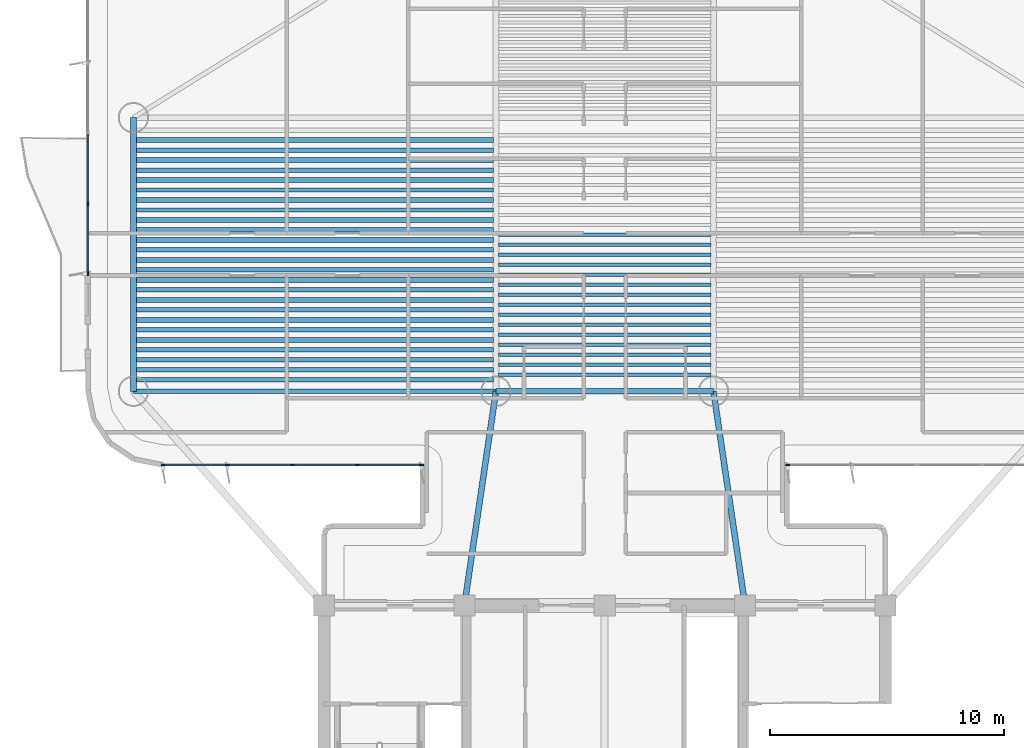
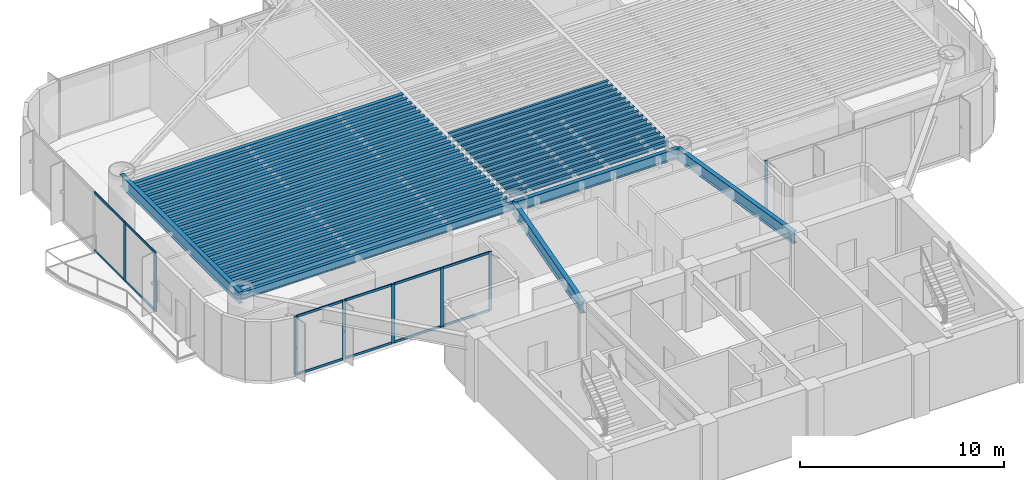
# One storey, part 2 of 16: 45 beams, 20 members, 3 elements without a shape of their own.
"""IFC4 building model written with IfcOpenShell, lengths in metres."""

from ifc_helpers import new_model, si_unit, direction, frame, origin, origin_2d, place, context, subcontext, project, spatial, rectangle, i_section, extrude, source, transform, mapped, material, layer, layer_set, material_profile, profile_set, type_object, element, aggregate, save


model = new_model("IFC4")

# Units and contexts
model_context = context("Model", 3, precision=1e-05, world=origin(), true_north=direction((0.0, 1.0)))
body_context = subcontext(model_context, "Body", "Model", "MODEL_VIEW")
ifc_project = project(units=[si_unit("LENGTHUNIT", "METRE"), si_unit("AREAUNIT", "SQUARE_METRE"), si_unit("VOLUMEUNIT", "CUBIC_METRE"), si_unit("PLANEANGLEUNIT", "RADIAN"), si_unit("MASSUNIT", "GRAM", prefix="KILO")], contexts=[model_context])

# Site, building, storey
site_placement = place(None, origin())
site = spatial("IfcSite", under=ifc_project, at=site_placement, CompositionType="ELEMENT")
building_placement = place(site_placement, origin())
building = spatial("IfcBuilding", under=site, at=building_placement, Name="Brelvock Crest Care Tower", CompositionType="ELEMENT")
storey_placement = place(building_placement, frame((0.0, 0.0, 104.93994140625)))
storey = spatial("IfcBuildingStorey", under=building, at=storey_placement, Name="L26", CompositionType="ELEMENT", Elevation=104.93994140625)

# Beams
ifc_material_1 = material(Name="Steel Grade 350", Category="steel")
ifc_material_profile_1 = material_profile(ifc_material_1, i_section(OverallWidth=0.22900390625, OverallDepth=0.612060546875, WebThickness=0.011962890625, FlangeThickness=0.01953125, FilletRadius=0.013916015625, at=origin_2d()), Name="610UB125")
ifc_profile_set_1 = profile_set([ifc_material_profile_1], Name="Steel Grade 350")
beam_type_1 = type_object("IfcBeamType", Name="BM-G1", PredefinedType="BEAM", material=ifc_profile_set_1)
shared_shape_1 = source(origin(), body_context, "Body", "SweptSolid", [
    extrude(i_section(OverallWidth=0.22900390625, OverallDepth=0.612060546875, WebThickness=0.011962890625, FlangeThickness=0.01953125, FilletRadius=0.013916015625, at=origin_2d()), origin(), (0.0, 0.0, 1.0), 9.2998046875),
])
beam_1_placement = place(storey_placement, frame((31.35009765625, 27.14990234375, 3.22412109375), z_axis=(1.0, 0.0, 0.0), x_axis=(0.0, 1.0, 0.0)))
element("IfcBeam", 1, at=beam_1_placement, inside=storey, type_object=beam_type_1, Name="BM-TWR-L26-05", PredefinedType="BEAM", context=body_context, shape_type="MappedRepresentation", body=[
    mapped(shared_shape_1, transform((0.0, 0.0, 0.0), x_axis=(1.0, 0.0, 0.0), y_axis=(0.0, 1.0, 0.0), z_axis=(0.0, 0.0, 1.0), scale=1.0)),
])
ifc_material_profile_2 = material_profile(ifc_material_1, i_section(OverallWidth=0.14599609375, OverallDepth=0.256103515625, WebThickness=0.00634765625, FlangeThickness=0.010986328125, FilletRadius=0.0087890625, at=origin_2d()), Name="250UB37.3")
ifc_profile_set_2 = profile_set([ifc_material_profile_2], Name="Steel Grade 350")
beam_type_2 = type_object("IfcBeamType", Name="BM-J3", PredefinedType="JOIST", material=ifc_profile_set_2)
shared_shape_2 = source(origin(), body_context, "Body", "SweptSolid", [
    extrude(i_section(OverallWidth=0.14599609375, OverallDepth=0.256103515625, WebThickness=0.00634765625, FlangeThickness=0.010986328125, FilletRadius=0.0087890625, at=origin_2d()), origin(), (0.0, 0.0, 1.0), 9.06982421875),
])
for number, where, z_axis, x_axis, name in (
    (2, (31.465087890625, 27.85498046875, 3.402099609375), (1.0, 0.0, 0.0), (0.0, 1.0, 0.0), "BM-JH-L26-1"),
    (3, (31.465087890625, 28.281982421875, 3.402099609375), (1.0, 0.0, 0.0), (0.0, 1.0, 0.0), "BM-JH-L26-2"),
    (4, (31.465087890625, 28.708984375, 3.402099609375), (1.0, 0.0, 0.0), (0.0, 1.0, 0.0), "BM-JH-L26-3"),
    (5, (31.465087890625, 29.135986328125, 3.402099609375), (1.0, 0.0, 0.0), (0.0, 1.0, 0.0), "BM-JH-L26-4"),
    (6, (31.465087890625, 29.56298828125, 3.402099609375), (1.0, 0.0, 0.0), (0.0, 1.0, 0.0), "BM-JH-L26-5"),
    (7, (31.465087890625, 29.990234375, 3.402099609375), (1.0, 0.0, 0.0), (0.0, 1.0, 0.0), "BM-JH-L26-6"),
    (8, (31.465087890625, 30.417236328125, 3.402099609375), (1.0, 0.0, 0.0), (0.0, 1.0, 0.0), "BM-JH-L26-7"),
    (9, (31.465087890625, 30.84423828125, 3.402099609375), (1.0, 0.0, 0.0), (0.0, 1.0, 0.0), "BM-JH-L26-8"),
    (10, (31.465087890625, 31.271240234375, 3.402099609375), (1.0, 0.0, 0.0), (0.0, 1.0, 0.0), "BM-JH-L26-9"),
    (11, (31.465087890625, 31.698486328125, 3.402099609375), (1.0, 0.0, 0.0), (0.0, 1.0, 0.0), "BM-JH-L26-10"),
    (12, (31.465087890625, 32.12548828125, 3.402099609375), (1.0, 0.0, 0.0), (0.0, 1.0, 0.0), "BM-JH-L26-11"),
    (13, (31.465087890625, 32.552490234375, 3.402099609375), (1.0, 0.0, 0.0), (0.0, 1.0, 0.0), "BM-JH-L26-12"),
    (14, (31.465087890625, 32.9794921875, 3.402099609375), (1.0, 0.0, 0.0), (0.0, 1.0, 0.0), "BM-JH-L26-13"),
    (15, (31.465087890625, 33.406494140625, 3.402099609375), (1.0, 0.0, 0.0), (0.0, 1.0, 0.0), "BM-JH-L26-14"),
    (16, (31.465087890625, 33.83349609375, 3.402099609375), (1.0, 0.0, 0.0), (0.0, 1.0, 0.0), "BM-JH-L26-15"),
):
    element("IfcBeam", number, at=place(storey_placement, frame(where, z_axis=z_axis, x_axis=x_axis)), inside=storey, type_object=beam_type_2, Name=name, PredefinedType="JOIST", context=body_context, shape_type="MappedRepresentation", body=[
        mapped(shared_shape_2, transform((0.0, 0.0, 0.0), x_axis=(1.0, 0.0, 0.0), y_axis=(0.0, 1.0, 0.0), z_axis=(0.0, 0.0, 1.0), scale=1.0)),
    ])
ifc_material_profile_3 = material_profile(ifc_material_1, i_section(OverallWidth=0.208984375, OverallDepth=0.532958984375, WebThickness=0.01025390625, FlangeThickness=0.015625, FilletRadius=0.013916015625, at=origin_2d()), Name="530UB92.4")
ifc_profile_set_3 = profile_set([ifc_material_profile_3], Name="Steel Grade 350")
beam_type_3 = type_object("IfcBeamType", Name="BM-G2", PredefinedType="BEAM", material=ifc_profile_set_3)
shared_shape_3 = source(origin(), body_context, "Body", "SweptSolid", [
    extrude(i_section(OverallWidth=0.208984375, OverallDepth=0.532958984375, WebThickness=0.01025390625, FlangeThickness=0.015625, FilletRadius=0.013916015625, at=origin_2d()), origin(), (0.0, 0.0, 1.0), 15.27001953125),
])
for number, where, z_axis, x_axis, name in (
    (17, (15.965087890625, 27.641357421875, 3.263671875), (1.0, 0.0, 0.0), (0.0, 1.0, 0.0), "BM-JW-L26-1"),
    (18, (15.965087890625, 28.49560546875, 3.263671875), (1.0, 0.0, 0.0), (0.0, 1.0, 0.0), "BM-JW-L26-3"),
    (19, (15.965087890625, 29.349609375, 3.263671875), (1.0, 0.0, 0.0), (0.0, 1.0, 0.0), "BM-JW-L26-5"),
    (20, (15.965087890625, 30.20361328125, 3.263671875), (1.0, 0.0, 0.0), (0.0, 1.0, 0.0), "BM-JW-L26-7"),
    (21, (15.965087890625, 31.057861328125, 3.263671875), (1.0, 0.0, 0.0), (0.0, 1.0, 0.0), "BM-JW-L26-9"),
    (22, (15.965087890625, 31.911865234375, 3.263671875), (1.0, 0.0, 0.0), (0.0, 1.0, 0.0), "BM-JW-L26-11"),
    (23, (15.965087890625, 32.76611328125, 3.263671875), (1.0, 0.0, 0.0), (0.0, 1.0, 0.0), "BM-JW-L26-13"),
    (24, (15.965087890625, 33.6201171875, 3.263671875), (1.0, 0.0, 0.0), (0.0, 1.0, 0.0), "BM-JW-L26-15"),
    (25, (15.965087890625, 34.47412109375, 3.263671875), (1.0, 0.0, 0.0), (0.0, 1.0, 0.0), "BM-JW-L26-17"),
    (26, (15.965087890625, 35.328369140625, 3.263671875), (1.0, 0.0, 0.0), (0.0, 1.0, 0.0), "BM-JW-L26-19"),
    (27, (15.965087890625, 36.182373046875, 3.263671875), (1.0, 0.0, 0.0), (0.0, 1.0, 0.0), "BM-JW-L26-21"),
    (28, (15.965087890625, 37.03662109375, 3.263671875), (1.0, 0.0, 0.0), (0.0, 1.0, 0.0), "BM-JW-L26-23"),
    (29, (15.965087890625, 37.890625, 3.263671875), (1.0, 0.0, 0.0), (0.0, 1.0, 0.0), "BM-JW-L26-25"),
):
    element("IfcBeam", number, at=place(storey_placement, frame(where, z_axis=z_axis, x_axis=x_axis)), inside=storey, type_object=beam_type_3, Name=name, PredefinedType="BEAM", context=body_context, shape_type="MappedRepresentation", body=[
        mapped(shared_shape_3, transform((0.0, 0.0, 0.0), x_axis=(1.0, 0.0, 0.0), y_axis=(0.0, 1.0, 0.0), z_axis=(0.0, 0.0, 1.0), scale=1.0)),
    ])
ifc_material_profile_4 = material_profile(ifc_material_1, i_section(OverallWidth=0.19091796875, OverallDepth=0.4599609375, WebThickness=0.010009765625, FlangeThickness=0.01611328125, FilletRadius=0.011474609375, at=origin_2d()), Name="460UB82.1")
ifc_profile_set_4 = profile_set([ifc_material_profile_4], Name="Steel Grade 350")
beam_type_4 = type_object("IfcBeamType", Name="BM-G3", PredefinedType="BEAM", material=ifc_profile_set_4)
shared_shape_4 = source(origin(), body_context, "Body", "SweptSolid", [
    extrude(i_section(OverallWidth=0.19091796875, OverallDepth=0.4599609375, WebThickness=0.010009765625, FlangeThickness=0.01611328125, FilletRadius=0.011474609375, at=origin_2d()), origin(), (0.0, 0.0, 1.0), 15.27001953125),
])
for number, where, z_axis, x_axis, name in (
    (30, (15.965087890625, 28.068359375, 3.300048828125), (1.0, 0.0, 0.0), (0.0, 1.0, 0.0), "BM-JW-L26-2"),
    (31, (15.965087890625, 28.922607421875, 3.300048828125), (1.0, 0.0, 0.0), (0.0, 1.0, 0.0), "BM-JW-L26-4"),
    (32, (15.965087890625, 29.776611328125, 3.300048828125), (1.0, 0.0, 0.0), (0.0, 1.0, 0.0), "BM-JW-L26-6"),
    (33, (15.965087890625, 30.630615234375, 3.300048828125), (1.0, 0.0, 0.0), (0.0, 1.0, 0.0), "BM-JW-L26-8"),
    (34, (15.965087890625, 31.48486328125, 3.300048828125), (1.0, 0.0, 0.0), (0.0, 1.0, 0.0), "BM-JW-L26-10"),
    (35, (15.965087890625, 32.3388671875, 3.300048828125), (1.0, 0.0, 0.0), (0.0, 1.0, 0.0), "BM-JW-L26-12"),
    (36, (15.965087890625, 33.193115234375, 3.300048828125), (1.0, 0.0, 0.0), (0.0, 1.0, 0.0), "BM-JW-L26-14"),
    (37, (15.965087890625, 34.047119140625, 3.300048828125), (1.0, 0.0, 0.0), (0.0, 1.0, 0.0), "BM-JW-L26-16"),
    (38, (15.965087890625, 34.901123046875, 3.300048828125), (1.0, 0.0, 0.0), (0.0, 1.0, 0.0), "BM-JW-L26-18"),
    (39, (15.965087890625, 35.75537109375, 3.300048828125), (1.0, 0.0, 0.0), (0.0, 1.0, 0.0), "BM-JW-L26-20"),
    (40, (15.965087890625, 36.609619140625, 3.300048828125), (1.0, 0.0, 0.0), (0.0, 1.0, 0.0), "BM-JW-L26-22"),
    (41, (15.965087890625, 37.46337890625, 3.300048828125), (1.0, 0.0, 0.0), (0.0, 1.0, 0.0), "BM-JW-L26-24"),
):
    element("IfcBeam", number, at=place(storey_placement, frame(where, z_axis=z_axis, x_axis=x_axis)), inside=storey, type_object=beam_type_4, Name=name, PredefinedType="BEAM", context=body_context, shape_type="MappedRepresentation", body=[
        mapped(shared_shape_4, transform((0.0, 0.0, 0.0), x_axis=(1.0, 0.0, 0.0), y_axis=(0.0, 1.0, 0.0), z_axis=(0.0, 0.0, 1.0), scale=1.0)),
    ])
ifc_material_profile_5 = material_profile(ifc_material_1, i_section(OverallWidth=0.25, OverallDepth=0.699951171875, WebThickness=0.011962890625, FlangeThickness=0.02001953125, at=origin_2d()), Name="700WB150")
ifc_profile_set_5 = profile_set([ifc_material_profile_5], Name="Steel Grade 350")
beam_type_5 = type_object("IfcBeamType", Name="BM-G4", PredefinedType="BEAM", material=ifc_profile_set_5)
shared_shape_5 = source(origin(), body_context, "Body", "SweptSolid", [
    extrude(i_section(OverallWidth=0.25, OverallDepth=0.699951171875, WebThickness=0.011962890625, FlangeThickness=0.02001953125, at=origin_2d()), origin(), (0.0, 0.0, 1.0), 11.7001953125),
])
beam_2_placement = place(storey_placement, frame((15.85009765625, 27.14990234375, 3.18017578125), z_axis=(0.0, 1.0, 0.0), x_axis=(-1.0, 0.0, 0.0)))
element("IfcBeam", 42, at=beam_2_placement, inside=storey, type_object=beam_type_5, Name="BM-TWR-L26-01", PredefinedType="BEAM", context=body_context, shape_type="MappedRepresentation", body=[
    mapped(shared_shape_5, transform((0.0, 0.0, 0.0), x_axis=(1.0, 0.0, 0.0), y_axis=(0.0, 1.0, 0.0), z_axis=(0.0, 0.0, 1.0), scale=1.0)),
])
ifc_material_profile_6 = material_profile(ifc_material_1, i_section(OverallWidth=0.19091796875, OverallDepth=0.4599609375, WebThickness=0.010009765625, FlangeThickness=0.01611328125, FilletRadius=0.011474609375, at=origin_2d()), Name="460UB82.1")
ifc_profile_set_6 = profile_set([ifc_material_profile_6], Name="Steel Grade 350")
beam_type_6 = type_object("IfcBeamType", Name="BM-SP2", PredefinedType="SPANDREL", material=ifc_profile_set_6)
shared_shape_6 = source(origin(), body_context, "Body", "SweptSolid", [
    extrude(i_section(OverallWidth=0.19091796875, OverallDepth=0.4599609375, WebThickness=0.010009765625, FlangeThickness=0.01611328125, FilletRadius=0.011474609375, at=origin_2d()), origin(), (0.0, 0.0, 1.0), 15.5),
])
beam_3_placement = place(storey_placement, frame((15.85009765625, 27.14990234375, 3.300048828125), z_axis=(1.0, 0.0, 0.0), x_axis=(0.0, 1.0, 0.0)))
element("IfcBeam", 43, at=beam_3_placement, inside=storey, type_object=beam_type_6, Name="BM-TWR-L26-03", PredefinedType="SPANDREL", context=body_context, shape_type="MappedRepresentation", body=[
    mapped(shared_shape_6, transform((0.0, 0.0, 0.0), x_axis=(1.0, 0.0, 0.0), y_axis=(0.0, 1.0, 0.0), z_axis=(0.0, 0.0, 1.0), scale=1.0)),
])
shared_shape_7 = source(origin(), body_context, "Body", "SweptSolid", [
    extrude(i_section(OverallWidth=0.25, OverallDepth=0.699951171875, WebThickness=0.011962890625, FlangeThickness=0.02001953125, at=origin_2d()), origin(), (0.0, 0.0, 1.0), 9.2490234375),
])
for number, where, z_axis, x_axis, name in (
    (44, (30.0, 18.0, 3.18017578125), (0.145972731602, 0.989288613918, 0.0), (-0.989288613918, 0.145972731602, 0.0), "BM-THRW-L26"),
    (45, (42.0, 18.0, 3.18017578125), (-0.145972731602, 0.989288613918, 0.0), (-0.989288613918, -0.145972731602, 0.0), "BM-THRE-L26"),
):
    element("IfcBeam", number, at=place(storey_placement, frame(where, z_axis=z_axis, x_axis=x_axis)), inside=storey, type_object=beam_type_5, Name=name, PredefinedType="BEAM", context=body_context, shape_type="MappedRepresentation", body=[
        mapped(shared_shape_7, transform((0.0, 0.0, 0.0), x_axis=(1.0, 0.0, 0.0), y_axis=(0.0, 1.0, 0.0), z_axis=(0.0, 0.0, 1.0), scale=1.0)),
    ])

# Curtain wall, members
ifc_material_2 = material(Name="Dark Glass Double Glazed Low-E", Category="glass")
ifc_layer = layer(ifc_material_2, 0.2099609375, Name="CWS-3")
ifc_layer_set = layer_set([ifc_layer], Name="Dark Glass Double Glazed Low-E")
curtain_wall_type = type_object("IfcCurtainWallType", Name="CWS-3", PredefinedType="NOTDEFINED", material=ifc_layer_set)
curtain_wall_1_placement = place(storey_placement, origin())
curtain_wall_1 = element("IfcCurtainWall", 46, at=curtain_wall_1_placement, inside=storey, type_object=curtain_wall_type, Name="L26 Curtain Wall E12", PredefinedType="NOTDEFINED")
ifc_material_3 = material(Name="Aluminium 6063-T6", Category="aluminium")
ifc_material_profile_7 = material_profile(ifc_material_3, rectangle(XDim=0.06005859375, YDim=0.179931640625, at=origin_2d()), Name="ALU60x180")
ifc_profile_set_7 = profile_set([ifc_material_profile_7], Name="Aluminium 6063-T6")
member_type_1 = type_object("IfcMemberType", Name="CWM-2", PredefinedType="MULLION", material=ifc_profile_set_7)
shared_shape_8 = source(origin(), body_context, "Body", "SweptSolid", [
    extrude(rectangle(XDim=0.06005859375, YDim=0.179931640625, at=origin_2d()), origin(), (0.0, 0.0, 1.0), 3.530029296875),
])
member_1_placement = place(storey_placement, frame((28.169921875, 24.0, 0.0), z_axis=(0.0, 0.0, 1.0), x_axis=(0.0, -1.0, 0.0)))
member_1 = element("IfcMember", 47, at=member_1_placement, type_object=member_type_1, Name="CW-3 mullion 1", PredefinedType="MULLION", context=body_context, shape_type="MappedRepresentation", body=[
    mapped(shared_shape_8, transform((0.0, 0.0, 0.0), x_axis=(1.0, 0.0, 0.0), y_axis=(0.0, 1.0, 0.0), z_axis=(0.0, 0.0, 1.0), scale=1.0)),
])
member_2_placement = place(storey_placement, frame((25.425048828125, 24.0, 0.0), z_axis=(0.0, 0.0, 1.0), x_axis=(0.0, -1.0, 0.0)))
member_2 = element("IfcMember", 48, at=member_2_placement, type_object=member_type_1, Name="CW-3 mullion 2", PredefinedType="MULLION", context=body_context, shape_type="MappedRepresentation", body=[
    mapped(shared_shape_8, transform((0.0, 0.0, 0.0), x_axis=(1.0, 0.0, 0.0), y_axis=(0.0, 1.0, 0.0), z_axis=(0.0, 0.0, 1.0), scale=1.0)),
])
member_3_placement = place(storey_placement, frame((22.64990234375, 24.0, 0.0), z_axis=(0.0, 0.0, 1.0), x_axis=(0.0, -1.0, 0.0)))
member_3 = element("IfcMember", 49, at=member_3_placement, type_object=member_type_1, Name="CW-3 mullion 3", PredefinedType="MULLION", context=body_context, shape_type="MappedRepresentation", body=[
    mapped(shared_shape_8, transform((0.0, 0.0, 0.0), x_axis=(1.0, 0.0, 0.0), y_axis=(0.0, 1.0, 0.0), z_axis=(0.0, 0.0, 1.0), scale=1.0)),
])
member_4_placement = place(storey_placement, frame((19.875, 24.0, 0.0), z_axis=(0.0, 0.0, 1.0), x_axis=(0.0, -1.0, 0.0)))
member_4 = element("IfcMember", 50, at=member_4_placement, type_object=member_type_1, Name="CW-3 mullion 4", PredefinedType="MULLION", context=body_context, shape_type="MappedRepresentation", body=[
    mapped(shared_shape_8, transform((0.0, 0.0, 0.0), x_axis=(1.0, 0.0, 0.0), y_axis=(0.0, 1.0, 0.0), z_axis=(0.0, 0.0, 1.0), scale=1.0)),
])
member_5_placement = place(storey_placement, frame((17.1298828125, 24.0, 0.0), z_axis=(0.0, 0.0, 1.0), x_axis=(0.0, -1.0, 0.0)))
member_5 = element("IfcMember", 51, at=member_5_placement, type_object=member_type_1, Name="CW-3 mullion 5", PredefinedType="MULLION", context=body_context, shape_type="MappedRepresentation", body=[
    mapped(shared_shape_8, transform((0.0, 0.0, 0.0), x_axis=(1.0, 0.0, 0.0), y_axis=(0.0, 1.0, 0.0), z_axis=(0.0, 0.0, 1.0), scale=1.0)),
])

curtain_wall_2_placement = place(storey_placement, origin())
curtain_wall_2 = element("IfcCurtainWall", 52, at=curtain_wall_2_placement, inside=storey, type_object=curtain_wall_type, Name="L26 Curtain Wall E17B", PredefinedType="NOTDEFINED")
member_6_placement = place(storey_placement, frame((13.89990234375, 32.179931640625, 0.0), z_axis=(0.0, 0.0, 1.0), x_axis=(-1.0, 0.0, 0.0)))
member_6 = element("IfcMember", 53, at=member_6_placement, type_object=member_type_1, Name="CW-3 mullion 1", PredefinedType="MULLION", context=body_context, shape_type="MappedRepresentation", body=[
    mapped(shared_shape_8, transform((0.0, 0.0, 0.0), x_axis=(1.0, 0.0, 0.0), y_axis=(0.0, 1.0, 0.0), z_axis=(0.0, 0.0, 1.0), scale=1.0)),
])
member_7_placement = place(storey_placement, frame((13.89990234375, 35.16259765625, 0.0), z_axis=(0.0, 0.0, 1.0), x_axis=(-1.0, 0.0, 0.0)))
member_7 = element("IfcMember", 54, at=member_7_placement, type_object=member_type_1, Name="CW-3 mullion 2", PredefinedType="MULLION", context=body_context, shape_type="MappedRepresentation", body=[
    mapped(shared_shape_8, transform((0.0, 0.0, 0.0), x_axis=(1.0, 0.0, 0.0), y_axis=(0.0, 1.0, 0.0), z_axis=(0.0, 0.0, 1.0), scale=1.0)),
])

# Curtain wall, member
curtain_wall_3_placement = place(storey_placement, origin())
curtain_wall_3 = element("IfcCurtainWall", 55, at=curtain_wall_3_placement, inside=storey, type_object=curtain_wall_type, Name="L26 Curtain Wall E44", PredefinedType="NOTDEFINED")
member_8_placement = place(storey_placement, frame((43.830078125, 24.0, 0.0), z_axis=(0.0, 0.0, 1.0), x_axis=(0.0, -1.0, 0.0)))
member_8 = element("IfcMember", 56, at=member_8_placement, type_object=member_type_1, Name="CW-3 mullion 5", PredefinedType="MULLION", context=body_context, shape_type="MappedRepresentation", body=[
    mapped(shared_shape_8, transform((0.0, 0.0, 0.0), x_axis=(1.0, 0.0, 0.0), y_axis=(0.0, 1.0, 0.0), z_axis=(0.0, 0.0, 1.0), scale=1.0)),
])
aggregate(curtain_wall_3, [member_8])

# Member
ifc_material_profile_8 = material_profile(ifc_material_3, rectangle(XDim=0.06005859375, YDim=0.139892578125, at=origin_2d()), Name="ALU60x140")
ifc_profile_set_8 = profile_set([ifc_material_profile_8], Name="Aluminium 6063-T6")
member_type_2 = type_object("IfcMemberType", Name="CWT-2", PredefinedType="USERDEFINED", material=ifc_profile_set_8)
shared_shape_9 = source(origin(), body_context, "Body", "SweptSolid", [
    extrude(rectangle(XDim=0.06005859375, YDim=0.139892578125, at=origin_2d()), origin(), (0.0, 0.0, 1.0), 2.684814453125),
])
member_9_placement = place(storey_placement, frame((28.139892578125, 24.0, 0.030029296875), z_axis=(-1.0, 0.0, 0.0), x_axis=(0.0, -1.0, 0.0)))
member_9 = element("IfcMember", 57, at=member_9_placement, type_object=member_type_2, Name="CW-3 transom 1.1", ObjectType="TRANSOM", PredefinedType="USERDEFINED", context=body_context, shape_type="MappedRepresentation", body=[
    mapped(shared_shape_9, transform((0.0, 0.0, 0.0), x_axis=(1.0, 0.0, 0.0), y_axis=(0.0, 1.0, 0.0), z_axis=(0.0, 0.0, 1.0), scale=1.0)),
])

member_10_placement = place(storey_placement, frame((28.139892578125, 24.0, 3.5), z_axis=(-1.0, 0.0, 0.0), x_axis=(0.0, -1.0, 0.0)))
member_10 = element("IfcMember", 58, at=member_10_placement, type_object=member_type_2, Name="CW-3 transom 1.2", ObjectType="TRANSOM", PredefinedType="USERDEFINED", context=body_context, shape_type="MappedRepresentation", body=[
    mapped(shared_shape_9, transform((0.0, 0.0, 0.0), x_axis=(1.0, 0.0, 0.0), y_axis=(0.0, 1.0, 0.0), z_axis=(0.0, 0.0, 1.0), scale=1.0)),
])

shared_shape_10 = source(origin(), body_context, "Body", "SweptSolid", [
    extrude(rectangle(XDim=0.06005859375, YDim=0.139892578125, at=origin_2d()), origin(), (0.0, 0.0, 1.0), 2.715087890625),
])
member_11_placement = place(storey_placement, frame((25.39501953125, 24.0, 0.030029296875), z_axis=(-1.0, 0.0, 0.0), x_axis=(0.0, -1.0, 0.0)))
member_11 = element("IfcMember", 59, at=member_11_placement, type_object=member_type_2, Name="CW-3 transom 2.1", ObjectType="TRANSOM", PredefinedType="USERDEFINED", context=body_context, shape_type="MappedRepresentation", body=[
    mapped(shared_shape_10, transform((0.0, 0.0, 0.0), x_axis=(1.0, 0.0, 0.0), y_axis=(0.0, 1.0, 0.0), z_axis=(0.0, 0.0, 1.0), scale=1.0)),
])

member_12_placement = place(storey_placement, frame((25.39501953125, 24.0, 3.5), z_axis=(-1.0, 0.0, 0.0), x_axis=(0.0, -1.0, 0.0)))
member_12 = element("IfcMember", 60, at=member_12_placement, type_object=member_type_2, Name="CW-3 transom 2.2", ObjectType="TRANSOM", PredefinedType="USERDEFINED", context=body_context, shape_type="MappedRepresentation", body=[
    mapped(shared_shape_10, transform((0.0, 0.0, 0.0), x_axis=(1.0, 0.0, 0.0), y_axis=(0.0, 1.0, 0.0), z_axis=(0.0, 0.0, 1.0), scale=1.0)),
])

member_13_placement = place(storey_placement, frame((22.6201171875, 24.0, 0.030029296875), z_axis=(-1.0, 0.0, 0.0), x_axis=(0.0, -1.0, 0.0)))
member_13 = element("IfcMember", 61, at=member_13_placement, type_object=member_type_2, Name="CW-3 transom 3.1", ObjectType="TRANSOM", PredefinedType="USERDEFINED", context=body_context, shape_type="MappedRepresentation", body=[
    mapped(shared_shape_10, transform((0.0, 0.0, 0.0), x_axis=(1.0, 0.0, 0.0), y_axis=(0.0, 1.0, 0.0), z_axis=(0.0, 0.0, 1.0), scale=1.0)),
])

member_14_placement = place(storey_placement, frame((22.6201171875, 24.0, 3.5), z_axis=(-1.0, 0.0, 0.0), x_axis=(0.0, -1.0, 0.0)))
member_14 = element("IfcMember", 62, at=member_14_placement, type_object=member_type_2, Name="CW-3 transom 3.2", ObjectType="TRANSOM", PredefinedType="USERDEFINED", context=body_context, shape_type="MappedRepresentation", body=[
    mapped(shared_shape_10, transform((0.0, 0.0, 0.0), x_axis=(1.0, 0.0, 0.0), y_axis=(0.0, 1.0, 0.0), z_axis=(0.0, 0.0, 1.0), scale=1.0)),
])

shared_shape_11 = source(origin(), body_context, "Body", "SweptSolid", [
    extrude(rectangle(XDim=0.06005859375, YDim=0.139892578125, at=origin_2d()), origin(), (0.0, 0.0, 1.0), 2.68505859375),
])
member_15_placement = place(storey_placement, frame((19.844970703125, 24.0, 0.030029296875), z_axis=(-1.0, 0.0, 0.0), x_axis=(0.0, -1.0, 0.0)))
member_15 = element("IfcMember", 63, at=member_15_placement, type_object=member_type_2, Name="CW-3 transom 4.1", ObjectType="TRANSOM", PredefinedType="USERDEFINED", context=body_context, shape_type="MappedRepresentation", body=[
    mapped(shared_shape_11, transform((0.0, 0.0, 0.0), x_axis=(1.0, 0.0, 0.0), y_axis=(0.0, 1.0, 0.0), z_axis=(0.0, 0.0, 1.0), scale=1.0)),
])

member_16_placement = place(storey_placement, frame((19.844970703125, 24.0, 3.5), z_axis=(-1.0, 0.0, 0.0), x_axis=(0.0, -1.0, 0.0)))
member_16 = element("IfcMember", 64, at=member_16_placement, type_object=member_type_2, Name="CW-3 transom 4.2", ObjectType="TRANSOM", PredefinedType="USERDEFINED", context=body_context, shape_type="MappedRepresentation", body=[
    mapped(shared_shape_11, transform((0.0, 0.0, 0.0), x_axis=(1.0, 0.0, 0.0), y_axis=(0.0, 1.0, 0.0), z_axis=(0.0, 0.0, 1.0), scale=1.0)),
])

aggregate(curtain_wall_1, [member_1, member_2, member_3, member_4, member_5, member_9, member_10, member_11, member_12, member_13, member_14, member_15, member_16])

shared_shape_12 = source(origin(), body_context, "Body", "SweptSolid", [
    extrude(rectangle(XDim=0.06005859375, YDim=0.139892578125, at=origin_2d()), origin(), (0.0, 0.0, 1.0), 2.922607421875),
])
member_17_placement = place(storey_placement, frame((13.89990234375, 32.2099609375, 0.030029296875), z_axis=(0.0, 1.0, 0.0), x_axis=(-1.0, 0.0, 0.0)))
member_17 = element("IfcMember", 65, at=member_17_placement, type_object=member_type_2, Name="CW-3 transom 1.1", ObjectType="TRANSOM", PredefinedType="USERDEFINED", context=body_context, shape_type="MappedRepresentation", body=[
    mapped(shared_shape_12, transform((0.0, 0.0, 0.0), x_axis=(1.0, 0.0, 0.0), y_axis=(0.0, 1.0, 0.0), z_axis=(0.0, 0.0, 1.0), scale=1.0)),
])

member_18_placement = place(storey_placement, frame((13.89990234375, 32.2099609375, 3.5), z_axis=(0.0, 1.0, 0.0), x_axis=(-1.0, 0.0, 0.0)))
member_18 = element("IfcMember", 66, at=member_18_placement, type_object=member_type_2, Name="CW-3 transom 1.2", ObjectType="TRANSOM", PredefinedType="USERDEFINED", context=body_context, shape_type="MappedRepresentation", body=[
    mapped(shared_shape_12, transform((0.0, 0.0, 0.0), x_axis=(1.0, 0.0, 0.0), y_axis=(0.0, 1.0, 0.0), z_axis=(0.0, 0.0, 1.0), scale=1.0)),
])

shared_shape_13 = source(origin(), body_context, "Body", "SweptSolid", [
    extrude(rectangle(XDim=0.06005859375, YDim=0.139892578125, at=origin_2d()), origin(), (0.0, 0.0, 1.0), 2.95263671875),
])
member_19_placement = place(storey_placement, frame((13.89990234375, 35.1923828125, 0.030029296875), z_axis=(0.0, 1.0, 0.0), x_axis=(-1.0, 0.0, 0.0)))
member_19 = element("IfcMember", 67, at=member_19_placement, type_object=member_type_2, Name="CW-3 transom 2.1", ObjectType="TRANSOM", PredefinedType="USERDEFINED", context=body_context, shape_type="MappedRepresentation", body=[
    mapped(shared_shape_13, transform((0.0, 0.0, 0.0), x_axis=(1.0, 0.0, 0.0), y_axis=(0.0, 1.0, 0.0), z_axis=(0.0, 0.0, 1.0), scale=1.0)),
])

member_20_placement = place(storey_placement, frame((13.89990234375, 35.1923828125, 3.5), z_axis=(0.0, 1.0, 0.0), x_axis=(-1.0, 0.0, 0.0)))
member_20 = element("IfcMember", 68, at=member_20_placement, type_object=member_type_2, Name="CW-3 transom 2.2", ObjectType="TRANSOM", PredefinedType="USERDEFINED", context=body_context, shape_type="MappedRepresentation", body=[
    mapped(shared_shape_13, transform((0.0, 0.0, 0.0), x_axis=(1.0, 0.0, 0.0), y_axis=(0.0, 1.0, 0.0), z_axis=(0.0, 0.0, 1.0), scale=1.0)),
])

aggregate(curtain_wall_2, [member_6, member_7, member_17, member_18, member_19, member_20])

save(model, "model.ifc")
